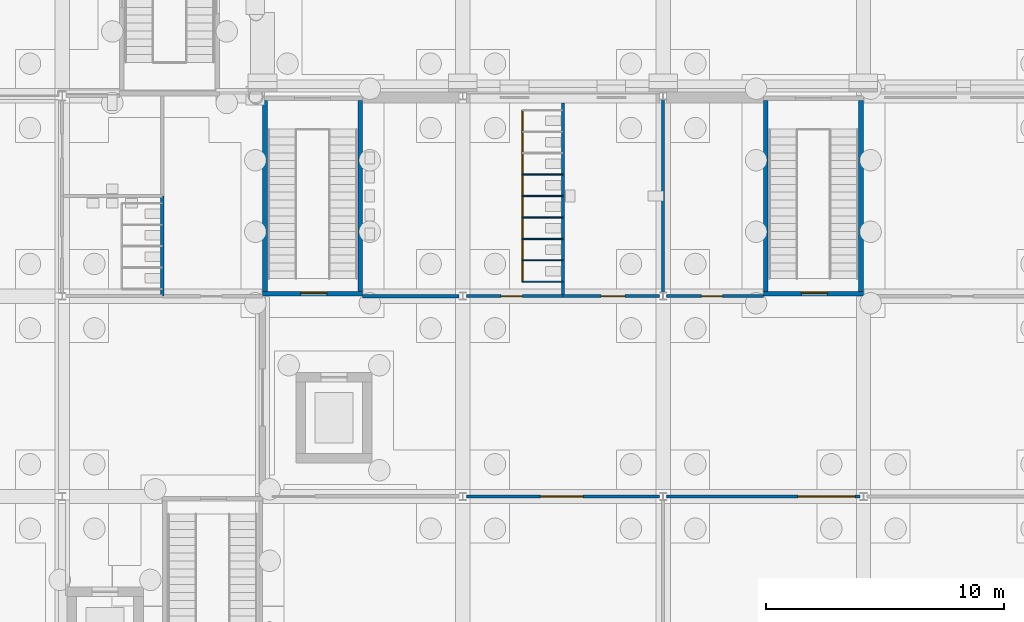
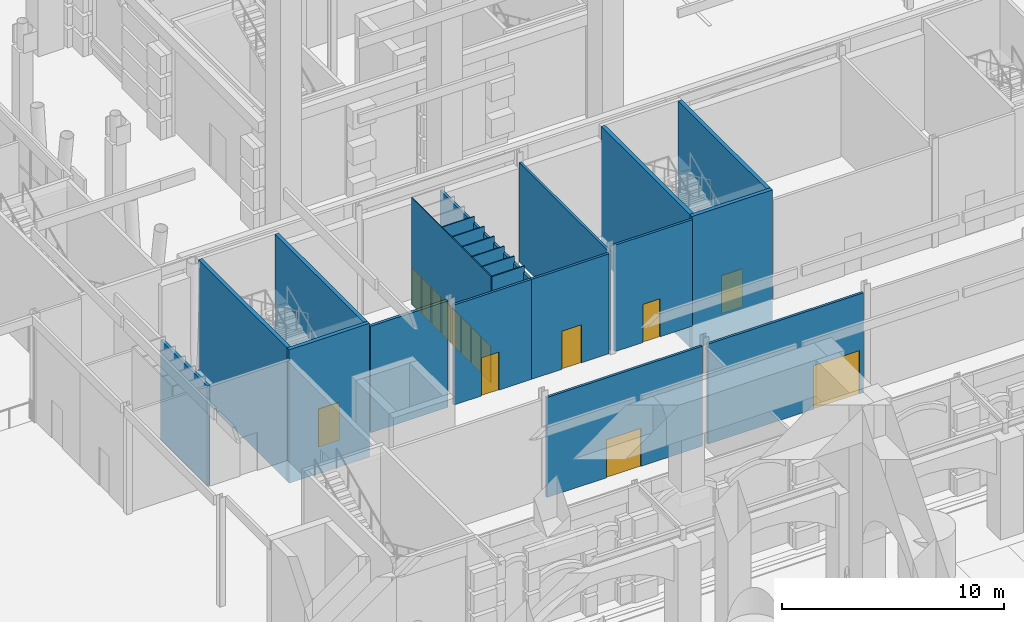
# One storey, part 92 of 222: 22 walls, 15 doors, 15 openings.
"""IFC4 building model written with IfcOpenShell, lengths in metres."""

from ifc_helpers import new_model, si_unit, direction, frame, frame_2d, origin, place, context, subcontext, project, spatial, rectangle, extrude, material, layer, layer_set, type_object, element, fill, save


model = new_model("IFC4")

# Units and contexts
model_context = context("Model", 3, precision=1e-05, world=origin(), true_north=direction((0.0, 1.0)))
body_context = subcontext(model_context, "Body", "Model", "MODEL_VIEW")
ifc_project = project(units=[si_unit("LENGTHUNIT", "METRE"), si_unit("AREAUNIT", "SQUARE_METRE"), si_unit("VOLUMEUNIT", "CUBIC_METRE"), si_unit("PLANEANGLEUNIT", "RADIAN"), si_unit("MASSUNIT", "GRAM", prefix="KILO")], contexts=[model_context])

# Site, building, storey
site_placement = place(None, origin())
site = spatial("IfcSite", under=ifc_project, at=site_placement, CompositionType="ELEMENT")
building_placement = place(site_placement, origin())
building = spatial("IfcBuilding", under=site, at=building_placement, Name="Sava Quay Ferry Terminal", CompositionType="ELEMENT")
storey_placement = place(building_placement, origin())
storey = spatial("IfcBuildingStorey", under=building, at=storey_placement, Name="L00", CompositionType="ELEMENT", Elevation=0.0)

# Wall, openings, doors
ifc_material_1 = material(Name="High-pressure laminate panel")
ifc_layer_1 = layer(ifc_material_1, 0.050048828125)
ifc_layer_set_1 = layer_set([ifc_layer_1], Name="High-pressure laminate panel")
wall_type_1 = type_object("IfcWallType", Name="Cubicle partition 50", PredefinedType="PARTITIONING", material=ifc_layer_set_1)
wall_1_placement = place(storey_placement, frame((94.89990234375, 42.60009765625, 0.0), z_axis=(0.0, 0.0, 1.0), x_axis=(0.0, 1.0, 0.0)))
wall_1 = element("IfcWall", 1, at=wall_1_placement, inside=storey, type_object=wall_type_1, Name="Cubicle partition panel", PredefinedType="PARTITIONING", context=body_context, shape_type="SweptSolid", body=[
    extrude(rectangle(XDim=7.199951171875, YDim=0.050048828125, at=frame_2d((3.60009765625, 0.0))), origin(), (0.0, 0.0, 1.0), 5.8701171875),
])
opening_1_placement = place(wall_1_placement, frame((0.050048828125, 0.0, 0.0)))
opening_1 = element("IfcOpeningElement", 2, at=opening_1_placement, cuts=wall_1, Name="Opening CD013", PredefinedType="OPENING", context=body_context, shape_type="SweptSolid", body=[
    extrude(rectangle(XDim=0.800048828125, YDim=2.0, at=frame_2d((0.39990234375, 1.0))), frame((0.0, 0.02490234375, 0.0), z_axis=(0.0, -1.0, 0.0), x_axis=(1.0, 0.0, 0.0)), (0.0, 0.0, 1.0), 0.050048828125),
])
opening_2_placement = place(wall_1_placement, frame((0.949951171875, 0.0, 0.0)))
opening_2 = element("IfcOpeningElement", 3, at=opening_2_placement, cuts=wall_1, Name="Opening CD014", PredefinedType="OPENING", context=body_context, shape_type="SweptSolid", body=[
    extrude(rectangle(XDim=0.800048828125, YDim=2.0, at=frame_2d((0.39990234375, 1.0))), frame((0.0, 0.02490234375, 0.0), z_axis=(0.0, -1.0, 0.0), x_axis=(1.0, 0.0, 0.0)), (0.0, 0.0, 1.0), 0.050048828125),
])
opening_3_placement = place(wall_1_placement, frame((1.85009765625, 0.0, 0.0)))
opening_3 = element("IfcOpeningElement", 4, at=opening_3_placement, cuts=wall_1, Name="Opening CD015", PredefinedType="OPENING", context=body_context, shape_type="SweptSolid", body=[
    extrude(rectangle(XDim=0.800048828125, YDim=2.0, at=frame_2d((0.39990234375, 1.0))), frame((0.0, 0.02490234375, 0.0), z_axis=(0.0, -1.0, 0.0), x_axis=(1.0, 0.0, 0.0)), (0.0, 0.0, 1.0), 0.050048828125),
])
opening_4_placement = place(wall_1_placement, frame((2.75, 0.0, 0.0)))
opening_4 = element("IfcOpeningElement", 5, at=opening_4_placement, cuts=wall_1, Name="Opening CD016", PredefinedType="OPENING", context=body_context, shape_type="SweptSolid", body=[
    extrude(rectangle(XDim=0.800048828125, YDim=2.0, at=frame_2d((0.39990234375, 1.0))), frame((0.0, 0.02490234375, 0.0), z_axis=(0.0, -1.0, 0.0), x_axis=(1.0, 0.0, 0.0)), (0.0, 0.0, 1.0), 0.050048828125),
])
opening_5_placement = place(wall_1_placement, frame((3.64990234375, 0.0, 0.0)))
opening_5 = element("IfcOpeningElement", 6, at=opening_5_placement, cuts=wall_1, Name="Opening CD017", PredefinedType="OPENING", context=body_context, shape_type="SweptSolid", body=[
    extrude(rectangle(XDim=0.800048828125, YDim=2.0, at=frame_2d((0.39990234375, 1.0))), frame((0.0, 0.02490234375, 0.0), z_axis=(0.0, -1.0, 0.0), x_axis=(1.0, 0.0, 0.0)), (0.0, 0.0, 1.0), 0.050048828125),
])
opening_6_placement = place(wall_1_placement, frame((4.550048828125, 0.0, 0.0)))
opening_6 = element("IfcOpeningElement", 7, at=opening_6_placement, cuts=wall_1, Name="Opening CD018", PredefinedType="OPENING", context=body_context, shape_type="SweptSolid", body=[
    extrude(rectangle(XDim=0.800048828125, YDim=2.0, at=frame_2d((0.39990234375, 1.0))), frame((0.0, 0.02490234375, 0.0), z_axis=(0.0, -1.0, 0.0), x_axis=(1.0, 0.0, 0.0)), (0.0, 0.0, 1.0), 0.050048828125),
])
opening_7_placement = place(wall_1_placement, frame((5.449951171875, 0.0, 0.0)))
opening_7 = element("IfcOpeningElement", 8, at=opening_7_placement, cuts=wall_1, Name="Opening CD019", PredefinedType="OPENING", context=body_context, shape_type="SweptSolid", body=[
    extrude(rectangle(XDim=0.800048828125, YDim=2.0, at=frame_2d((0.39990234375, 1.0))), frame((0.0, 0.02490234375, 0.0), z_axis=(0.0, -1.0, 0.0), x_axis=(1.0, 0.0, 0.0)), (0.0, 0.0, 1.0), 0.050048828125),
])
opening_8_placement = place(wall_1_placement, frame((6.35009765625, 0.0, 0.0)))
opening_8 = element("IfcOpeningElement", 9, at=opening_8_placement, cuts=wall_1, Name="Opening CD020", PredefinedType="OPENING", context=body_context, shape_type="SweptSolid", body=[
    extrude(rectangle(XDim=0.800048828125, YDim=2.0, at=frame_2d((0.39990234375, 1.0))), frame((0.0, 0.02490234375, 0.0), z_axis=(0.0, -1.0, 0.0), x_axis=(1.0, 0.0, 0.0)), (0.0, 0.0, 1.0), 0.050048828125),
])
ifc_material_2 = material(Name="Laminate door set")
door_type_1 = type_object("IfcDoorType", Name="Cubicle door 800 x 2000", OperationType="NOTDEFINED", PredefinedType="DOOR", material=ifc_material_2)
door_1_placement = place(opening_1_placement, origin())
door_1 = element("IfcDoor", 10, at=door_1_placement, inside=storey, type_object=door_type_1, Name="Cubicle door", OperationType="SINGLE_SWING_RIGHT", OverallHeight=2.0, OverallWidth=0.800048828125, PredefinedType="DOOR", context=body_context, shape_type="SweptSolid", body=[
    extrude(rectangle(XDim=0.800048828125, YDim=2.0, at=frame_2d((0.39990234375, 1.0))), frame((0.0, 0.02490234375, 0.0), z_axis=(0.0, -1.0, 0.0), x_axis=(1.0, 0.0, 0.0)), (0.0, 0.0, 1.0), 0.049560546875),
])
fill(opening_1, door_1)
door_2_placement = place(opening_2_placement, origin())
door_2 = element("IfcDoor", 11, at=door_2_placement, inside=storey, type_object=door_type_1, Name="Cubicle door", OperationType="SINGLE_SWING_LEFT", OverallHeight=2.0, OverallWidth=0.800048828125, PredefinedType="DOOR", context=body_context, shape_type="SweptSolid", body=[
    extrude(rectangle(XDim=0.800048828125, YDim=2.0, at=frame_2d((0.39990234375, 1.0))), frame((0.0, 0.02490234375, 0.0), z_axis=(0.0, -1.0, 0.0), x_axis=(1.0, 0.0, 0.0)), (0.0, 0.0, 1.0), 0.049560546875),
])
fill(opening_2, door_2)
door_3_placement = place(opening_3_placement, origin())
door_3 = element("IfcDoor", 12, at=door_3_placement, inside=storey, type_object=door_type_1, Name="Cubicle door", OperationType="SINGLE_SWING_RIGHT", OverallHeight=2.0, OverallWidth=0.800048828125, PredefinedType="DOOR", context=body_context, shape_type="SweptSolid", body=[
    extrude(rectangle(XDim=0.800048828125, YDim=2.0, at=frame_2d((0.39990234375, 1.0))), frame((0.0, 0.02490234375, 0.0), z_axis=(0.0, -1.0, 0.0), x_axis=(1.0, 0.0, 0.0)), (0.0, 0.0, 1.0), 0.049560546875),
])
fill(opening_3, door_3)
door_4_placement = place(opening_4_placement, origin())
door_4 = element("IfcDoor", 13, at=door_4_placement, inside=storey, type_object=door_type_1, Name="Cubicle door", OperationType="SINGLE_SWING_LEFT", OverallHeight=2.0, OverallWidth=0.800048828125, PredefinedType="DOOR", context=body_context, shape_type="SweptSolid", body=[
    extrude(rectangle(XDim=0.800048828125, YDim=2.0, at=frame_2d((0.39990234375, 1.0))), frame((0.0, 0.02490234375, 0.0), z_axis=(0.0, -1.0, 0.0), x_axis=(1.0, 0.0, 0.0)), (0.0, 0.0, 1.0), 0.049560546875),
])
fill(opening_4, door_4)
door_5_placement = place(opening_5_placement, origin())
door_5 = element("IfcDoor", 14, at=door_5_placement, inside=storey, type_object=door_type_1, Name="Cubicle door", OperationType="SINGLE_SWING_RIGHT", OverallHeight=2.0, OverallWidth=0.800048828125, PredefinedType="DOOR", context=body_context, shape_type="SweptSolid", body=[
    extrude(rectangle(XDim=0.800048828125, YDim=2.0, at=frame_2d((0.39990234375, 1.0))), frame((0.0, 0.02490234375, 0.0), z_axis=(0.0, -1.0, 0.0), x_axis=(1.0, 0.0, 0.0)), (0.0, 0.0, 1.0), 0.049560546875),
])
fill(opening_5, door_5)
door_6_placement = place(opening_6_placement, origin())
door_6 = element("IfcDoor", 15, at=door_6_placement, inside=storey, type_object=door_type_1, Name="Cubicle door", OperationType="SINGLE_SWING_LEFT", OverallHeight=2.0, OverallWidth=0.800048828125, PredefinedType="DOOR", context=body_context, shape_type="SweptSolid", body=[
    extrude(rectangle(XDim=0.800048828125, YDim=2.0, at=frame_2d((0.39990234375, 1.0))), frame((0.0, 0.02490234375, 0.0), z_axis=(0.0, -1.0, 0.0), x_axis=(1.0, 0.0, 0.0)), (0.0, 0.0, 1.0), 0.049560546875),
])
fill(opening_6, door_6)
door_7_placement = place(opening_7_placement, origin())
door_7 = element("IfcDoor", 16, at=door_7_placement, inside=storey, type_object=door_type_1, Name="Cubicle door", OperationType="SINGLE_SWING_RIGHT", OverallHeight=2.0, OverallWidth=0.800048828125, PredefinedType="DOOR", context=body_context, shape_type="SweptSolid", body=[
    extrude(rectangle(XDim=0.800048828125, YDim=2.0, at=frame_2d((0.39990234375, 1.0))), frame((0.0, 0.02490234375, 0.0), z_axis=(0.0, -1.0, 0.0), x_axis=(1.0, 0.0, 0.0)), (0.0, 0.0, 1.0), 0.049560546875),
])
fill(opening_7, door_7)
door_8_placement = place(opening_8_placement, origin())
door_8 = element("IfcDoor", 17, at=door_8_placement, inside=storey, type_object=door_type_1, Name="Cubicle door", OperationType="SINGLE_SWING_LEFT", OverallHeight=2.0, OverallWidth=0.800048828125, PredefinedType="DOOR", context=body_context, shape_type="SweptSolid", body=[
    extrude(rectangle(XDim=0.800048828125, YDim=2.0, at=frame_2d((0.39990234375, 1.0))), frame((0.0, 0.02490234375, 0.0), z_axis=(0.0, -1.0, 0.0), x_axis=(1.0, 0.0, 0.0)), (0.0, 0.0, 1.0), 0.049560546875),
])
fill(opening_8, door_8)

# Walls
for number, where, z_axis, x_axis, name in (
    (18, (96.60009765625, 42.60009765625, 0.0), (0.0, 0.0, 1.0), (-1.0, 0.0, 0.0), "Cubicle partition panel"),
    (19, (96.60009765625, 43.5, 0.0), (0.0, 0.0, 1.0), (-1.0, 0.0, 0.0), "Cubicle partition panel"),
    (20, (96.60009765625, 44.39990234375, 0.0), (0.0, 0.0, 1.0), (-1.0, 0.0, 0.0), "Cubicle partition panel"),
    (21, (96.60009765625, 45.300048828125, 0.0), (0.0, 0.0, 1.0), (-1.0, 0.0, 0.0), "Cubicle partition panel"),
    (22, (96.60009765625, 46.199951171875, 0.0), (0.0, 0.0, 1.0), (-1.0, 0.0, 0.0), "Cubicle partition panel"),
    (23, (96.60009765625, 47.10009765625, 0.0), (0.0, 0.0, 1.0), (-1.0, 0.0, 0.0), "Cubicle partition panel"),
):
    element("IfcWall", number, at=place(storey_placement, frame(where, z_axis=z_axis, x_axis=x_axis)), inside=storey, type_object=wall_type_1, Name=name, PredefinedType="PARTITIONING", context=body_context, shape_type="SweptSolid", body=[
        extrude(rectangle(XDim=1.7001953125, YDim=0.050048828125, at=frame_2d((0.85009765625, 0.0))), origin(), (0.0, 0.0, 1.0), 5.8701171875),
    ])
ifc_material_3 = material(Name="Masonry blockwork", Category="masonry")
ifc_layer_2 = layer(ifc_material_3, 0.14990234375)
ifc_layer_set_2 = layer_set([ifc_layer_2], Name="Masonry blockwork")
wall_type_2 = type_object("IfcWallType", Name="Plant, store and lobby wall, blockwork 150", PredefinedType="PARTITIONING", material=ifc_layer_set_2)
wall_2_placement = place(storey_placement, frame((79.800048828125, 42.0, 0.0), z_axis=(0.0, 0.0, 1.0), x_axis=(0.0, 1.0, 0.0)))
element("IfcWall", 24, at=wall_2_placement, inside=storey, type_object=wall_type_2, Name="Plant, store and lobby wall, blockwork 150", PredefinedType="PARTITIONING", context=body_context, shape_type="SweptSolid", body=[
    extrude(rectangle(XDim=4.199951171875, YDim=0.14990234375, at=frame_2d((2.10009765625, 0.0))), origin(), (0.0, 0.0, 1.0), 5.510009765625),
])
wall_3_placement = place(storey_placement, frame((88.199951171875, 42.0, 0.0), z_axis=(0.0, 0.0, 1.0), x_axis=(1.0, 0.0, 0.0)))
element("IfcWall", 25, at=wall_3_placement, inside=storey, type_object=wall_type_2, Name="Plant, store and lobby wall, blockwork 150", PredefinedType="PARTITIONING", context=body_context, shape_type="SweptSolid", body=[
    extrude(rectangle(XDim=4.050048828125, YDim=0.14990234375, at=frame_2d((2.02490234375, 0.0))), origin(), (0.0, 0.0, 1.0), 5.8701171875),
])

# Wall, opening, door
ifc_material_4 = material(Name="Concrete C35/45", Category="concrete")
ifc_layer_3 = layer(ifc_material_4, 0.199951171875)
ifc_layer_set_3 = layer_set([ifc_layer_3], Name="Concrete C35/45")
wall_type_3 = type_object("IfcWallType", Name="RC core wall 200", PredefinedType="SHEAR", material=ifc_layer_set_3)
wall_4_placement = place(storey_placement, frame((84.0, 42.10009765625, -1.35009765625), z_axis=(0.0, 0.0, 1.0), x_axis=(1.0, 0.0, 0.0)))
wall_4 = element("IfcWall", 26, at=wall_4_placement, inside=storey, type_object=wall_type_3, Name="Core wall ST-P1 S L00", PredefinedType="SHEAR", context=body_context, shape_type="SweptSolid", body=[
    extrude(rectangle(XDim=4.199951171875, YDim=0.199951171875, at=frame_2d((2.10009765625, 0.0))), origin(), (0.0, 0.0, 1.0), 7.35009765625),
])
opening_9_placement = place(wall_4_placement, frame((1.60009765625, 0.0, 1.35009765625)))
opening_9 = element("IfcOpeningElement", 27, at=opening_9_placement, cuts=wall_4, Name="Opening DS0010", PredefinedType="OPENING", context=body_context, shape_type="SweptSolid", body=[
    extrude(rectangle(XDim=1.10009765625, YDim=2.10009765625, at=frame_2d((0.550048828125, 1.050048828125))), frame((0.0, 0.10009765625, 0.0), z_axis=(0.0, -1.0, 0.0), x_axis=(1.0, 0.0, 0.0)), (0.0, 0.0, 1.0), 0.199951171875),
])
ifc_material_5 = material(Name="Steel fire door set", Category="steel")
door_type_2 = type_object("IfcDoorType", Name="Stair fire door 1100 x 2100", OperationType="NOTDEFINED", PredefinedType="DOOR", material=ifc_material_5)
door_9_placement = place(opening_9_placement, frame((1.10009765625, 0.050048828125, 0.0), z_axis=(0.0, 0.0, 1.0), x_axis=(-1.0, 0.0, 0.0)))
door_9 = element("IfcDoor", 28, at=door_9_placement, inside=storey, type_object=door_type_2, Name="Door DS0010", OperationType="SINGLE_SWING_RIGHT", OverallHeight=2.10009765625, OverallWidth=1.10009765625, PredefinedType="DOOR", context=body_context, shape_type="SweptSolid", body=[
    extrude(rectangle(XDim=1.10009765625, YDim=2.10009765625, at=frame_2d((0.550048828125, 1.050048828125))), frame((0.0, 0.02490234375, 0.0), z_axis=(0.0, -1.0, 0.0), x_axis=(1.0, 0.0, 0.0)), (0.0, 0.0, 1.0), 0.050048828125),
])
fill(opening_9, door_9)

# Walls
for number, where, z_axis, x_axis, name in (
    (29, (84.10009765625, 42.199951171875, -1.35009765625), (0.0, 0.0, 1.0), (0.0, 1.0, 0.0), "Core wall ST-P1 W L00"),
    (30, (88.10009765625, 42.199951171875, -1.35009765625), (0.0, 0.0, 1.0), (0.0, 1.0, 0.0), "Core wall ST-P1 E L00"),
):
    element("IfcWall", number, at=place(storey_placement, frame(where, z_axis=z_axis, x_axis=x_axis)), inside=storey, type_object=wall_type_3, Name=name, PredefinedType="SHEAR", context=body_context, shape_type="SweptSolid", body=[
        extrude(rectangle(XDim=8.0, YDim=0.199951171875, at=frame_2d((4.0, 0.0))), origin(), (0.0, 0.0, 1.0), 7.35009765625),
    ])

# Wall, opening, door
wall_5_placement = place(storey_placement, frame((105.0, 42.10009765625, -1.35009765625), z_axis=(0.0, 0.0, 1.0), x_axis=(1.0, 0.0, 0.0)))
wall_5 = element("IfcWall", 31, at=wall_5_placement, inside=storey, type_object=wall_type_3, Name="Core wall ST-P3 S L00", PredefinedType="SHEAR", context=body_context, shape_type="SweptSolid", body=[
    extrude(rectangle(XDim=4.199951171875, YDim=0.199951171875, at=frame_2d((2.10009765625, 0.0))), origin(), (0.0, 0.0, 1.0), 7.35009765625),
])
opening_10_placement = place(wall_5_placement, frame((1.60009765625, 0.0, 1.35009765625)))
opening_10 = element("IfcOpeningElement", 32, at=opening_10_placement, cuts=wall_5, Name="Opening DS0011", PredefinedType="OPENING", context=body_context, shape_type="SweptSolid", body=[
    extrude(rectangle(XDim=1.10009765625, YDim=2.10009765625, at=frame_2d((0.550048828125, 1.050048828125))), frame((0.0, 0.10009765625, 0.0), z_axis=(0.0, -1.0, 0.0), x_axis=(1.0, 0.0, 0.0)), (0.0, 0.0, 1.0), 0.199951171875),
])
door_10_placement = place(opening_10_placement, frame((1.10009765625, 0.050048828125, 0.0), z_axis=(0.0, 0.0, 1.0), x_axis=(-1.0, 0.0, 0.0)))
door_10 = element("IfcDoor", 33, at=door_10_placement, inside=storey, type_object=door_type_2, Name="Door DS0011", OperationType="SINGLE_SWING_RIGHT", OverallHeight=2.10009765625, OverallWidth=1.10009765625, PredefinedType="DOOR", context=body_context, shape_type="SweptSolid", body=[
    extrude(rectangle(XDim=1.10009765625, YDim=2.10009765625, at=frame_2d((0.550048828125, 1.050048828125))), frame((0.0, 0.02490234375, 0.0), z_axis=(0.0, -1.0, 0.0), x_axis=(1.0, 0.0, 0.0)), (0.0, 0.0, 1.0), 0.050048828125),
])
fill(opening_10, door_10)

# Walls
for number, where, z_axis, x_axis, name in (
    (34, (105.10009765625, 42.199951171875, -1.35009765625), (0.0, 0.0, 1.0), (0.0, 1.0, 0.0), "Core wall ST-P3 W L00"),
    (35, (109.10009765625, 42.199951171875, -1.35009765625), (0.0, 0.0, 1.0), (0.0, 1.0, 0.0), "Core wall ST-P3 E L00"),
):
    element("IfcWall", number, at=place(storey_placement, frame(where, z_axis=z_axis, x_axis=x_axis)), inside=storey, type_object=wall_type_3, Name=name, PredefinedType="SHEAR", context=body_context, shape_type="SweptSolid", body=[
        extrude(rectangle(XDim=8.0, YDim=0.199951171875, at=frame_2d((4.0, 0.0))), origin(), (0.0, 0.0, 1.0), 7.35009765625),
    ])

# Wall, opening, door
ifc_material_6 = material(Name="Plasterboard on steel studs", Category="steel")
ifc_layer_4 = layer(ifc_material_6, 0.125)
ifc_layer_set_4 = layer_set([ifc_layer_4], Name="Plasterboard on steel studs")
wall_type_4 = type_object("IfcWallType", Name="Room partition, plasterboard on steel studs 125", PredefinedType="PARTITIONING", material=ifc_layer_set_4)
wall_6_placement = place(storey_placement, frame((92.550048828125, 33.60009765625, 0.0), z_axis=(0.0, 0.0, 1.0), x_axis=(1.0, 0.0, 0.0)))
wall_6 = element("IfcWall", 36, at=wall_6_placement, inside=storey, type_object=wall_type_4, Name="Room partition, plasterboard on steel studs 125", PredefinedType="PARTITIONING", context=body_context, shape_type="SweptSolid", body=[
    extrude(rectangle(XDim=8.099853515625, YDim=0.125, at=frame_2d((4.0498046875, 0.0))), origin(), (0.0, 0.0, 1.0), 5.510009765625),
])
opening_11_placement = place(wall_6_placement, frame((3.10009765625, 0.0, 0.0)))
opening_11 = element("IfcOpeningElement", 37, at=opening_11_placement, cuts=wall_6, Name="Opening D0010", PredefinedType="OPENING", context=body_context, shape_type="SweptSolid", body=[
    extrude(rectangle(XDim=1.800048828125, YDim=2.10009765625, at=frame_2d((0.89990234375, 1.050048828125))), frame((0.0, 0.0625, 0.0), z_axis=(0.0, -1.0, 0.0), x_axis=(1.0, 0.0, 0.0)), (0.0, 0.0, 1.0), 0.125),
])
ifc_material_7 = material(Name="Timber door set", Category="wood")
door_type_3 = type_object("IfcDoorType", Name="Double door 1800 x 2100", OperationType="NOTDEFINED", PredefinedType="DOOR", material=ifc_material_7)
door_11_placement = place(opening_11_placement, origin())
door_11 = element("IfcDoor", 38, at=door_11_placement, inside=storey, type_object=door_type_3, Name="Door D0010", OperationType="DOUBLE_DOOR_DOUBLE_SWING", OverallHeight=2.10009765625, OverallWidth=1.800048828125, PredefinedType="DOOR", context=body_context, shape_type="SweptSolid", body=[
    extrude(rectangle(XDim=1.800048828125, YDim=2.10009765625, at=frame_2d((0.89990234375, 1.050048828125))), frame((0.0, 0.02490234375, 0.0), z_axis=(0.0, -1.0, 0.0), x_axis=(1.0, 0.0, 0.0)), (0.0, 0.0, 1.0), 0.050048828125),
])
fill(opening_11, door_11)

wall_7_placement = place(storey_placement, frame((100.949951171875, 33.60009765625, 0.0), z_axis=(0.0, 0.0, 1.0), x_axis=(1.0, 0.0, 0.0)))
wall_7 = element("IfcWall", 39, at=wall_7_placement, inside=storey, type_object=wall_type_4, Name="Room partition, plasterboard on steel studs 125", PredefinedType="PARTITIONING", context=body_context, shape_type="SweptSolid", body=[
    extrude(rectangle(XDim=8.10009765625, YDim=0.125, at=frame_2d((4.050048828125, 0.0))), origin(), (0.0, 0.0, 1.0), 5.510009765625),
])
opening_12_placement = place(wall_7_placement, frame((5.5, 0.0, 0.0)))
opening_12 = element("IfcOpeningElement", 40, at=opening_12_placement, cuts=wall_7, Name="Opening D0012", PredefinedType="OPENING", context=body_context, shape_type="SweptSolid", body=[
    extrude(rectangle(XDim=2.39990234375, YDim=2.39990234375, at=frame_2d((1.199951171875, 1.199951171875))), frame((0.0, 0.0625, 0.0), z_axis=(0.0, -1.0, 0.0), x_axis=(1.0, 0.0, 0.0)), (0.0, 0.0, 1.0), 0.125),
])
ifc_material_8 = material(Name="Timber door set", Category="wood")
door_type_4 = type_object("IfcDoorType", Name="Double door 2400 x 2400", OperationType="NOTDEFINED", PredefinedType="DOOR", material=ifc_material_8)
door_12_placement = place(opening_12_placement, origin())
door_12 = element("IfcDoor", 41, at=door_12_placement, inside=storey, type_object=door_type_4, Name="Door D0012", OperationType="DOUBLE_DOOR_DOUBLE_SWING", OverallHeight=2.39990234375, OverallWidth=2.39990234375, PredefinedType="DOOR", context=body_context, shape_type="SweptSolid", body=[
    extrude(rectangle(XDim=2.39990234375, YDim=2.39990234375, at=frame_2d((1.199951171875, 1.199951171875))), frame((0.0, 0.02490234375, 0.0), z_axis=(0.0, -1.0, 0.0), x_axis=(1.0, 0.0, 0.0)), (0.0, 0.0, 1.0), 0.050048828125),
])
fill(opening_12, door_12)

wall_8_placement = place(storey_placement, frame((100.949951171875, 42.0, 0.0), z_axis=(0.0, 0.0, 1.0), x_axis=(1.0, 0.0, 0.0)))
wall_8 = element("IfcWall", 42, at=wall_8_placement, inside=storey, type_object=wall_type_4, Name="Room partition, plasterboard on steel studs 125", PredefinedType="PARTITIONING", context=body_context, shape_type="SweptSolid", body=[
    extrude(rectangle(XDim=4.050048828125, YDim=0.125, at=frame_2d((2.02490234375, 0.0))), origin(), (0.0, 0.0, 1.0), 5.8701171875),
])
opening_13_placement = place(wall_8_placement, frame((1.449951171875, 0.0, 0.0)))
opening_13 = element("IfcOpeningElement", 43, at=opening_13_placement, cuts=wall_8, Name="Opening D0016", PredefinedType="OPENING", context=body_context, shape_type="SweptSolid", body=[
    extrude(rectangle(XDim=0.89990234375, YDim=2.10009765625, at=frame_2d((0.449951171875, 1.050048828125))), frame((0.0, 0.0625, 0.0), z_axis=(0.0, -1.0, 0.0), x_axis=(1.0, 0.0, 0.0)), (0.0, 0.0, 1.0), 0.125),
])
ifc_material_9 = material(Name="Timber door set", Category="wood")
door_type_5 = type_object("IfcDoorType", Name="Single door 900 x 2100", OperationType="NOTDEFINED", PredefinedType="DOOR", material=ifc_material_9)
door_13_placement = place(opening_13_placement, origin())
door_13 = element("IfcDoor", 44, at=door_13_placement, inside=storey, type_object=door_type_5, Name="Door D0016", OperationType="SINGLE_SWING_LEFT", OverallHeight=2.10009765625, OverallWidth=0.89990234375, PredefinedType="DOOR", context=body_context, shape_type="SweptSolid", body=[
    extrude(rectangle(XDim=0.89990234375, YDim=2.10009765625, at=frame_2d((0.449951171875, 1.050048828125))), frame((0.0, 0.02490234375, 0.0), z_axis=(0.0, -1.0, 0.0), x_axis=(1.0, 0.0, 0.0)), (0.0, 0.0, 1.0), 0.050048828125),
])
fill(opening_13, door_13)

ifc_material_10 = material(Name="Moisture-resistant board on steel studs", Category="steel")
ifc_layer_5 = layer(ifc_material_10, 0.125)
ifc_layer_set_5 = layer_set([ifc_layer_5], Name="Moisture-resistant board on steel studs")
wall_type_5 = type_object("IfcWallType", Name="Toilet partition, moisture-resistant board 125", PredefinedType="PARTITIONING", material=ifc_layer_set_5)
wall_9_placement = place(storey_placement, frame((92.550048828125, 42.0, 0.0), z_axis=(0.0, 0.0, 1.0), x_axis=(1.0, 0.0, 0.0)))
wall_9 = element("IfcWall", 45, at=wall_9_placement, inside=storey, type_object=wall_type_5, Name="Toilet partition, moisture-resistant board 125", PredefinedType="PARTITIONING", context=body_context, shape_type="SweptSolid", body=[
    extrude(rectangle(XDim=4.050048828125, YDim=0.125, at=frame_2d((2.02490234375, 0.0))), origin(), (0.0, 0.0, 1.0), 5.510009765625),
])
opening_14_placement = place(wall_9_placement, frame((1.449951171875, 0.0, 0.0)))
opening_14 = element("IfcOpeningElement", 46, at=opening_14_placement, cuts=wall_9, Name="Opening D0014", PredefinedType="OPENING", context=body_context, shape_type="SweptSolid", body=[
    extrude(rectangle(XDim=0.89990234375, YDim=2.10009765625, at=frame_2d((0.449951171875, 1.050048828125))), frame((0.0, 0.0625, 0.0), z_axis=(0.0, -1.0, 0.0), x_axis=(1.0, 0.0, 0.0)), (0.0, 0.0, 1.0), 0.125),
])
ifc_material_11 = material(Name="Laminate door set")
door_type_6 = type_object("IfcDoorType", Name="Toilet door 900 x 2100", OperationType="NOTDEFINED", PredefinedType="DOOR", material=ifc_material_11)
door_14_placement = place(opening_14_placement, origin())
door_14 = element("IfcDoor", 47, at=door_14_placement, inside=storey, type_object=door_type_6, Name="Door D0014", OperationType="SINGLE_SWING_LEFT", OverallHeight=2.10009765625, OverallWidth=0.89990234375, PredefinedType="DOOR", context=body_context, shape_type="SweptSolid", body=[
    extrude(rectangle(XDim=0.89990234375, YDim=2.10009765625, at=frame_2d((0.449951171875, 1.050048828125))), frame((0.0, 0.02490234375, 0.0), z_axis=(0.0, -1.0, 0.0), x_axis=(1.0, 0.0, 0.0)), (0.0, 0.0, 1.0), 0.050048828125),
])
fill(opening_14, door_14)

wall_10_placement = place(storey_placement, frame((96.60009765625, 42.0, 0.0), z_axis=(0.0, 0.0, 1.0), x_axis=(1.0, 0.0, 0.0)))
wall_10 = element("IfcWall", 48, at=wall_10_placement, inside=storey, type_object=wall_type_5, Name="Toilet partition, moisture-resistant board 125", PredefinedType="PARTITIONING", context=body_context, shape_type="SweptSolid", body=[
    extrude(rectangle(XDim=4.0498046875, YDim=0.125, at=frame_2d((2.02490234375, 0.0))), origin(), (0.0, 0.0, 1.0), 5.510009765625),
])
opening_15_placement = place(wall_10_placement, frame((1.60009765625, 0.0, 0.0)))
opening_15 = element("IfcOpeningElement", 49, at=opening_15_placement, cuts=wall_10, Name="Opening D0015", PredefinedType="OPENING", context=body_context, shape_type="SweptSolid", body=[
    extrude(rectangle(XDim=1.0, YDim=2.10009765625, at=frame_2d((0.5, 1.050048828125))), frame((0.0, 0.0625, 0.0), z_axis=(0.0, -1.0, 0.0), x_axis=(1.0, 0.0, 0.0)), (0.0, 0.0, 1.0), 0.125),
])
ifc_material_12 = material(Name="Laminate door set")
door_type_7 = type_object("IfcDoorType", Name="Accessible toilet door 1000 x 2100", OperationType="NOTDEFINED", PredefinedType="DOOR", material=ifc_material_12)
door_15_placement = place(opening_15_placement, origin())
door_15 = element("IfcDoor", 50, at=door_15_placement, inside=storey, type_object=door_type_7, Name="Door D0015", OperationType="SINGLE_SWING_LEFT", OverallHeight=2.10009765625, OverallWidth=1.0, PredefinedType="DOOR", context=body_context, shape_type="SweptSolid", body=[
    extrude(rectangle(XDim=1.0, YDim=2.10009765625, at=frame_2d((0.5, 1.050048828125))), frame((0.0, 0.02490234375, 0.0), z_axis=(0.0, -1.0, 0.0), x_axis=(1.0, 0.0, 0.0)), (0.0, 0.0, 1.0), 0.050048828125),
])
fill(opening_15, door_15)

# Walls
wall_11_placement = place(storey_placement, frame((96.60009765625, 42.0, 0.0), z_axis=(0.0, 0.0, 1.0), x_axis=(0.0, 1.0, 0.0)))
element("IfcWall", 51, at=wall_11_placement, inside=storey, type_object=wall_type_5, Name="Toilet partition, moisture-resistant board 125", PredefinedType="PARTITIONING", context=body_context, shape_type="SweptSolid", body=[
    extrude(rectangle(XDim=8.109619140625, YDim=0.125, at=frame_2d((4.0546875, 0.0))), origin(), (0.0, 0.0, 1.0), 5.510009765625),
])
wall_12_placement = place(storey_placement, frame((100.800048828125, 42.159912109375, 0.0), z_axis=(0.0, 0.0, 1.0), x_axis=(0.0, 1.0, 0.0)))
element("IfcWall", 52, at=wall_12_placement, inside=storey, type_object=wall_type_5, Name="Toilet partition, moisture-resistant board 125", PredefinedType="PARTITIONING", context=body_context, shape_type="SweptSolid", body=[
    extrude(rectangle(XDim=8.080078125, YDim=0.125, at=frame_2d((4.0400390625, 0.0))), origin(), (0.0, 0.0, 1.0), 5.47998046875),
])

save(model, "model.ifc")
